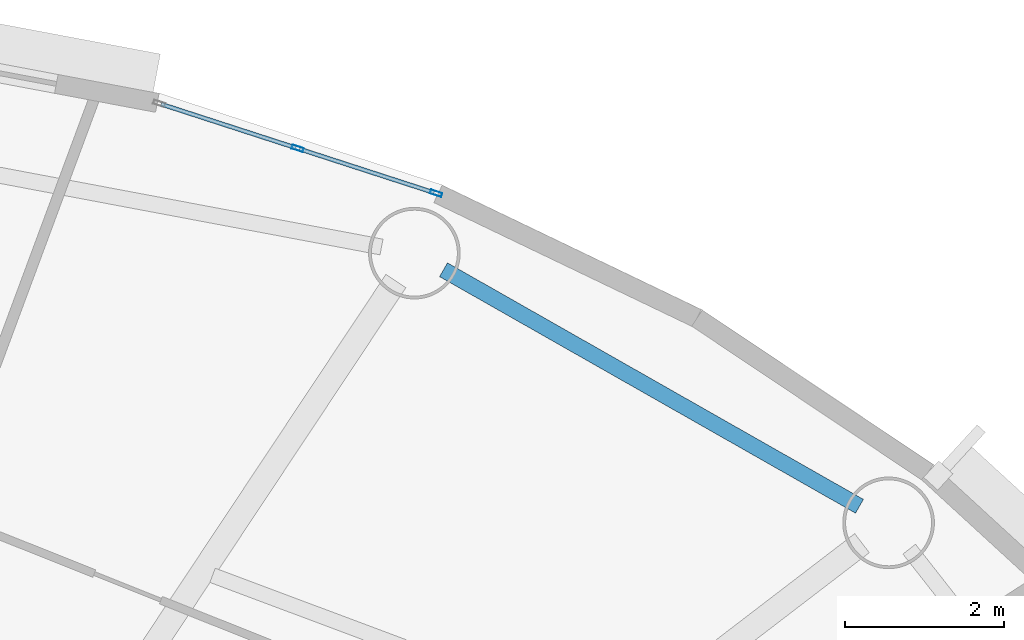
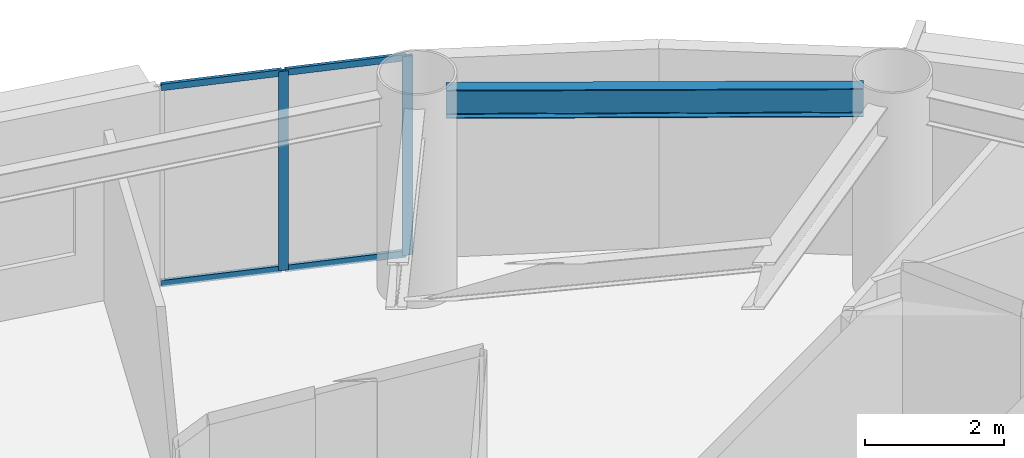
# One storey, part 5 of 19: 6 members, 1 beam, 1 element without a shape of its own.
"""IFC4 building model written with IfcOpenShell, lengths in metres."""

import ifcopenshell
import ifcopenshell.guid

model = None  # the IFC model being written
_history = None  # IfcOwnerHistory: only IFC2X3 demands one
_inside = {}  # id of a spatial element -> (the spatial element, [elements in it])
_under = {}  # id of a project, library or spatial element -> (it, [spatial elements below it])
_declared = {}  # id of a project -> (the project, [libraries it declares])
_typed = {}  # id of a type object -> (the type object, [elements of that type])
_made_of = {}  # id of a material, layer set ... -> (it, [elements and type objects made of it])


def new_model(schema):
    """Start an empty IFC model of exactly this schema.

    Asked for "IFC4X3", IfcOpenShell would pick the latest addendum, in which some entities
    have other attributes; the version numbers below select the first issue.
    IFC2X3 requires an IfcOwnerHistory on every rooted entity: one is made here for all.
    """
    global model, _history
    if schema == "IFC4X3":
        model = ifcopenshell.file(schema_version=(4, 3, 0, 0))
    else:
        model = ifcopenshell.file(schema=schema)
    _inside.clear()
    _under.clear()
    _declared.clear()
    _typed.clear()
    _made_of.clear()
    _history = None
    if model.schema == "IFC2X3":
        org = make("IfcOrganization", Name="unknown")
        user = make(
            "IfcPersonAndOrganization",
            ThePerson=make("IfcPerson", FamilyName="unknown"),
            TheOrganization=org,
        )
        app = make(
            "IfcApplication",
            ApplicationDeveloper=org,
            Version="unknown",
            ApplicationFullName="unknown",
            ApplicationIdentifier="unknown",
        )
        _history = make(
            "IfcOwnerHistory",
            OwningUser=user,
            OwningApplication=app,
            ChangeAction="ADDED",
            CreationDate=0,
        )
    return model


def make(cls, **values):
    """One entity of the class cls with the attributes given. An attribute that is None is left unset."""
    return model.create_entity(
        cls, **{name: value for name, value in values.items() if value is not None}
    )


def rooted(cls, **values):
    """An entity with a GlobalId (a new one), such as an element, a storey or a relation."""
    return make(cls, GlobalId=ifcopenshell.guid.new(), OwnerHistory=_history, **values)


def si_unit(unit_type, name, prefix=None):
    """IfcSIUnit, for example si_unit("LENGTHUNIT", "METRE", prefix="MILLI")."""
    return make("IfcSIUnit", UnitType=unit_type, Prefix=prefix, Name=name)


def assignment(units):
    """IfcUnitAssignment: the units of a project."""
    return None if units is None else make("IfcUnitAssignment", Units=units)


def point(xyz):
    """IfcCartesianPoint."""
    return None if xyz is None else make("IfcCartesianPoint", Coordinates=xyz)


def direction(xyz):
    """IfcDirection."""
    return None if xyz is None else make("IfcDirection", DirectionRatios=xyz)


def frame(location, z_axis=None, x_axis=None):
    """IfcAxis2Placement3D, a coordinate frame: its origin and axes. An axis left out is left unset."""
    return make(
        "IfcAxis2Placement3D",
        Location=point(location),
        Axis=direction(z_axis),
        RefDirection=direction(x_axis),
    )


def frame_2d(location, x_axis=None):
    """IfcAxis2Placement2D, a coordinate frame in the plane: its origin and x axis."""
    return make(
        "IfcAxis2Placement2D", Location=point(location), RefDirection=direction(x_axis)
    )


def origin():
    """The frame at (0, 0, 0) with its axes left unset."""
    return frame((0.0, 0.0, 0.0))


def origin_2d():
    """The frame at (0, 0) in the plane with its x axis left unset."""
    return frame_2d((0.0, 0.0))


def place(relative_to, where):
    """IfcLocalPlacement: puts the frame where relative to a parent placement (None: the world)."""
    return make(
        "IfcLocalPlacement", PlacementRelTo=relative_to, RelativePlacement=where
    )


def context(
    kind, dimensions, precision=None, world=None, true_north=None, identifier=None
):
    """IfcGeometricRepresentationContext, for example the 3D "Model" context."""
    return make(
        "IfcGeometricRepresentationContext",
        ContextIdentifier=identifier,
        ContextType=kind,
        CoordinateSpaceDimension=dimensions,
        Precision=precision,
        WorldCoordinateSystem=world,
        TrueNorth=true_north,
    )


def subcontext(parent, identifier, kind, view, scale=None):
    """IfcGeometricRepresentationSubContext, for example "Body" below "Model"."""
    return make(
        "IfcGeometricRepresentationSubContext",
        ContextIdentifier=identifier,
        ContextType=kind,
        ParentContext=parent,
        TargetScale=scale,
        TargetView=view,
    )


def project(units=None, contexts=None):
    """IfcProject with its units and contexts."""
    return rooted(
        "IfcProject",
        Name="project",
        RepresentationContexts=contexts,
        UnitsInContext=assignment(units),
    )


def spatial(cls, under=None, at=None, **own):
    """A site, building, storey or space (cls), placed at a placement, below another one or the project."""
    s = rooted(cls, ObjectPlacement=at, **own)
    if under is not None:
        _under.setdefault(under.id(), (under, []))[1].append(s)
    return s


def profile(cls, at=None, kind="AREA", **sizes):
    """A parametric profile (cls). Its sizes go by their IFC names, for example OverallWidth=200.0."""
    return make(cls, ProfileType=kind, Position=at, **sizes)


def hollow_rectangle(**sizes):
    """IfcRectangleHollowProfileDef."""
    return profile("IfcRectangleHollowProfileDef", **sizes)


def i_section(**sizes):
    """IfcIShapeProfileDef."""
    return profile("IfcIShapeProfileDef", **sizes)


def extrude(swept, where, along, depth):
    """IfcExtrudedAreaSolid: the profile swept, set in the frame where, extruded along a direction by depth."""
    return make(
        "IfcExtrudedAreaSolid",
        SweptArea=swept,
        Position=where,
        ExtrudedDirection=direction(along),
        Depth=depth,
    )


def shape(context_of_items, identifier, shape_type, items):
    """IfcShapeRepresentation: the items that make up one representation, for example the "Body"."""
    return make(
        "IfcShapeRepresentation",
        ContextOfItems=context_of_items,
        RepresentationIdentifier=identifier,
        RepresentationType=shape_type,
        Items=items,
    )


def source(mapping_origin, context_of_items, identifier, shape_type, items):
    """IfcRepresentationMap: a shape defined once, which mapped items show again and again."""
    return make(
        "IfcRepresentationMap",
        MappingOrigin=mapping_origin,
        MappedRepresentation=shape(context_of_items, identifier, shape_type, items),
    )


def transform(
    local_origin,
    x_axis=None,
    y_axis=None,
    z_axis=None,
    scale=None,
    scale2=None,
    scale3=None,
    uniform=True,
):
    """IfcCartesianTransformationOperator3D, or its non-uniform kind. x_axis, y_axis, z_axis: its Axis1, 2, 3."""
    if uniform:
        return make(
            "IfcCartesianTransformationOperator3D",
            Axis1=direction(x_axis),
            Axis2=direction(y_axis),
            LocalOrigin=point(local_origin),
            Scale=scale,
            Axis3=direction(z_axis),
        )
    return make(
        "IfcCartesianTransformationOperator3DnonUniform",
        Axis1=direction(x_axis),
        Axis2=direction(y_axis),
        LocalOrigin=point(local_origin),
        Scale=scale,
        Axis3=direction(z_axis),
        Scale2=scale2,
        Scale3=scale3,
    )


def mapped(mapping_source, mapping_target):
    """IfcMappedItem: shows the shape of a source again, moved by a transform."""
    return make(
        "IfcMappedItem", MappingSource=mapping_source, MappingTarget=mapping_target
    )


def material(Name=None, Category=None):
    """IfcMaterial."""
    return make("IfcMaterial", Name=Name, Category=Category)


def layer(
    of_material, thickness, ventilated=None, Name=None, Category=None, Priority=None
):
    """IfcMaterialLayer: one layer of a wall or slab, of a material (None: an air gap)."""
    return make(
        "IfcMaterialLayer",
        Material=of_material,
        LayerThickness=thickness,
        IsVentilated=ventilated,
        Name=Name,
        Category=Category,
        Priority=Priority,
    )


def layer_set(layers, Name=None):
    """IfcMaterialLayerSet."""
    return make("IfcMaterialLayerSet", MaterialLayers=layers, LayerSetName=Name)


def material_profile(
    of_material, cross_section, Name=None, Category=None, Priority=None
):
    """IfcMaterialProfile: a cross section and its material."""
    return make(
        "IfcMaterialProfile",
        Name=Name,
        Material=of_material,
        Profile=cross_section,
        Priority=Priority,
        Category=Category,
    )


def profile_set(profiles, Name=None, composite=None):
    """IfcMaterialProfileSet."""
    return make(
        "IfcMaterialProfileSet",
        Name=Name,
        MaterialProfiles=profiles,
        CompositeProfile=composite,
    )


def made_of(thing, what):
    """Note that an element or type object is made of a material, layer set ...; save() writes the relation."""
    if what is not None:
        _made_of.setdefault(what.id(), (what, []))[1].append(thing)
    return thing


def type_object(cls, material=None, **own):
    """A type object (cls), such as IfcWallType, which elements share."""
    return made_of(rooted(cls, **own), material)


def element(
    cls,
    number,
    at=None,
    inside=None,
    cuts=None,
    type_object=None,
    material=None,
    context=None,
    identifier="Body",
    shape_type=None,
    held_by="IfcProductDefinitionShape",
    body=None,
    shapes=None,
    **own,
):
    """One element of the class cls, such as IfcWall. Its Tag is "e" and its number.

    at: its placement. inside: the storey or other place that contains it. cuts: it is an
    opening in that element (IfcRelVoidsElement). A single representation is given by context,
    identifier, shape_type and body (its items); several are given by shapes. held_by: the class
    of the entity that holds the representations. save() writes the other relations.
    """
    e = rooted(cls, Tag="e%d" % number, ObjectPlacement=at, **own)
    if body is not None:
        shapes = [shape(context, identifier, shape_type, body)]
    if shapes is not None:
        e.Representation = make(held_by, Representations=shapes)
    if inside is not None:
        _inside.setdefault(inside.id(), (inside, []))[1].append(e)
    if cuts is not None:
        rooted(
            "IfcRelVoidsElement", RelatingBuildingElement=cuts, RelatedOpeningElement=e
        )
    if type_object is not None:
        _typed.setdefault(type_object.id(), (type_object, []))[1].append(e)
    return made_of(e, material)


def aggregate(whole, parts):
    """IfcRelAggregates: a whole, such as a stair, and the parts it consists of."""
    return rooted("IfcRelAggregates", RelatingObject=whole, RelatedObjects=parts)


def save(model, path):
    """Write the relations noted so far, then the file.

    IfcRelAggregates (storeys below a building ...), IfcRelContainedInSpatialStructure (elements
    in a storey), IfcRelDefinesByType, IfcRelAssociatesMaterial and IfcRelDeclares: one each for
    every whole, place, type object, material and project.
    """
    for whole, parts in _under.values():
        aggregate(whole, parts)
    for where, things in _inside.values():
        rooted(
            "IfcRelContainedInSpatialStructure",
            RelatedElements=things,
            RelatingStructure=where,
        )
    for kind, things in _typed.values():
        rooted("IfcRelDefinesByType", RelatedObjects=things, RelatingType=kind)
    for what, things in _made_of.values():
        rooted("IfcRelAssociatesMaterial", RelatedObjects=things, RelatingMaterial=what)
    for by, libraries in _declared.values():
        rooted("IfcRelDeclares", RelatingContext=by, RelatedDefinitions=libraries)
    model.write(path)


model = new_model("IFC4")

# Units and contexts
model_context = context("Model", 3, precision=1e-05, world=origin(), true_north=direction((0.0, 1.0)))
body_context = subcontext(model_context, "Body", "Model", "MODEL_VIEW")
ifc_project = project(units=[si_unit("LENGTHUNIT", "METRE"), si_unit("AREAUNIT", "SQUARE_METRE"), si_unit("VOLUMEUNIT", "CUBIC_METRE"), si_unit("PLANEANGLEUNIT", "RADIAN"), si_unit("MASSUNIT", "GRAM", prefix="KILO")], contexts=[model_context])

# Site, building, storey
site_placement = place(None, origin())
site = spatial("IfcSite", under=ifc_project, at=site_placement, CompositionType="ELEMENT")
building_placement = place(site_placement, origin())
building = spatial("IfcBuilding", under=site, at=building_placement, Name="Linh Dai School and Residence Tower", CompositionType="ELEMENT")
storey_placement = place(building_placement, frame((0.0, 0.0, 217.800048828125)))
storey = spatial("IfcBuildingStorey", under=building, at=storey_placement, Name="L53", CompositionType="ELEMENT", Elevation=217.800048828125)

# Beam
ifc_material_1 = material(Name="Structural Steel S355JR", Category="steel")
ifc_material_profile_1 = material_profile(ifc_material_1, i_section(OverallWidth=0.199951171875, OverallDepth=0.5, WebThickness=0.01025390625, FlangeThickness=0.01611328125, FilletRadius=0.02099609375, at=origin_2d()), Name="IPE 500")
ifc_profile_set_1 = profile_set([ifc_material_profile_1], Name="Structural Steel S355JR")
beam_type = type_object("IfcBeamType", Name="BM-RB50", PredefinedType="BEAM", material=ifc_profile_set_1)
beam_placement = place(storey_placement, frame((52.318115234375, 39.988525390625, 3.25), z_axis=(-0.869297314463, 0.494289570058, 0.0), x_axis=(-0.494289570058, -0.869297314463, 0.0)))
element("IfcBeam", 1, at=beam_placement, inside=storey, type_object=beam_type, Name="L53 Perimeter Elliptical Ring Beam 03", PredefinedType="BEAM", context=body_context, shape_type="SweptSolid", body=[
    extrude(i_section(OverallWidth=0.199951171875, OverallDepth=0.5, WebThickness=0.01025390625, FlangeThickness=0.01611328125, FilletRadius=0.02099609375, at=origin_2d()), origin(), (0.0, 0.0, 1.0), 6.003173828125),
])

# Curtain wall, members
ifc_material_2 = material(Name="Aluminium Anodised Curtain Wall", Category="aluminium")
ifc_layer = layer(ifc_material_2, 0.14990234375)
ifc_layer_set = layer_set([ifc_layer], Name="Aluminium Anodised Curtain Wall")
curtain_wall_type = type_object("IfcCurtainWallType", Name="CW-SYS-4", PredefinedType="USERDEFINED", material=ifc_layer_set)
curtain_wall_placement = place(storey_placement, origin())
curtain_wall = element("IfcCurtainWall", 2, at=curtain_wall_placement, inside=storey, type_object=curtain_wall_type, Name="L53 CW4 Curtain Wall 08", ObjectType="RIBBON CURTAIN WALL", PredefinedType="USERDEFINED")
ifc_material_3 = material(Name="Aluminium Alloy 6063-T6", Category="aluminium")
ifc_material_profile_2 = material_profile(ifc_material_3, hollow_rectangle(XDim=0.052001953125, YDim=0.14990234375, WallThickness=0.00390625, at=origin_2d()), Name="RHS 150x52x4")
ifc_profile_set_2 = profile_set([ifc_material_profile_2], Name="Aluminium Alloy 6063-T6")
member_type_1 = type_object("IfcMemberType", Name="CW-SYS-4-MUL", PredefinedType="MULLION", material=ifc_profile_set_2)
shared_shape_1 = source(origin(), body_context, "Body", "SweptSolid", [
    extrude(hollow_rectangle(XDim=0.052001953125, YDim=0.14990234375, WallThickness=0.00390625, at=origin_2d()), origin(), (0.0, 0.0, 1.0), 3.5),
])
member_1_placement = place(storey_placement, frame((45.27001953125, 44.477783203125, 0.0), z_axis=(0.0, 0.0, 1.0), x_axis=(0.308501065272, 0.951223997135, 0.0)))
member_1 = element("IfcMember", 3, at=member_1_placement, type_object=member_type_1, Name="CW4 mullion 2", PredefinedType="MULLION", context=body_context, shape_type="MappedRepresentation", body=[
    mapped(shared_shape_1, transform((0.0, 0.0, 0.0), x_axis=(1.0, 0.0, 0.0), y_axis=(0.0, 1.0, 0.0), z_axis=(0.0, 0.0, 1.0), scale=1.0)),
])
member_2_placement = place(storey_placement, frame((47.00634765625, 43.91455078125, 0.0), z_axis=(0.0, 0.0, 1.0), x_axis=(0.308501065272, 0.951223997135, 0.0)))
member_2 = element("IfcMember", 4, at=member_2_placement, type_object=member_type_1, Name="CW4 mullion 3", PredefinedType="MULLION", context=body_context, shape_type="MappedRepresentation", body=[
    mapped(shared_shape_1, transform((0.0, 0.0, 0.0), x_axis=(1.0, 0.0, 0.0), y_axis=(0.0, 1.0, 0.0), z_axis=(0.0, 0.0, 1.0), scale=1.0)),
])
ifc_material_profile_3 = material_profile(ifc_material_3, hollow_rectangle(XDim=0.052001953125, YDim=0.114990234375, WallThickness=0.00390625, at=origin_2d()), Name="RHS 115x52x4")
ifc_profile_set_3 = profile_set([ifc_material_profile_3], Name="Aluminium Alloy 6063-T6")
member_type_2 = type_object("IfcMemberType", Name="CW-SYS-4-TRN", PredefinedType="USERDEFINED", material=ifc_profile_set_3)
shared_shape_2 = source(origin(), body_context, "Body", "SweptSolid", [
    extrude(hollow_rectangle(XDim=0.052001953125, YDim=0.114990234375, WallThickness=0.00390625, at=origin_2d()), origin(), (0.0, 0.0, 1.0), 1.773193359375),
])
member_3_placement = place(storey_placement, frame((43.55859375, 45.03271484375, 0.02587890625), z_axis=(0.951212990868, -0.308534999643, 0.0), x_axis=(0.308534999643, 0.951212990868, 0.0)))
member_3 = element("IfcMember", 5, at=member_3_placement, type_object=member_type_2, Name="CW4 transom 1.1", ObjectType="TRANSOM", PredefinedType="USERDEFINED", context=body_context, shape_type="MappedRepresentation", body=[
    mapped(shared_shape_2, transform((0.0, 0.0, 0.0), x_axis=(1.0, 0.0, 0.0), y_axis=(0.0, 1.0, 0.0), z_axis=(0.0, 0.0, 1.0), scale=1.0)),
])
member_4_placement = place(storey_placement, frame((43.55859375, 45.03271484375, 3.473876953125), z_axis=(0.951212990868, -0.308534999643, 0.0), x_axis=(0.308534999643, 0.951212990868, 0.0)))
member_4 = element("IfcMember", 6, at=member_4_placement, type_object=member_type_2, Name="CW4 transom 1.2", ObjectType="TRANSOM", PredefinedType="USERDEFINED", context=body_context, shape_type="MappedRepresentation", body=[
    mapped(shared_shape_2, transform((0.0, 0.0, 0.0), x_axis=(1.0, 0.0, 0.0), y_axis=(0.0, 1.0, 0.0), z_axis=(0.0, 0.0, 1.0), scale=1.0)),
])
member_5_placement = place(storey_placement, frame((45.294921875, 44.4697265625, 0.02587890625), z_axis=(0.951212990868, -0.308534999643, 0.0), x_axis=(0.308534999643, 0.951212990868, 0.0)))
member_5 = element("IfcMember", 7, at=member_5_placement, type_object=member_type_2, Name="CW4 transom 2.1", ObjectType="TRANSOM", PredefinedType="USERDEFINED", context=body_context, shape_type="MappedRepresentation", body=[
    mapped(shared_shape_2, transform((0.0, 0.0, 0.0), x_axis=(1.0, 0.0, 0.0), y_axis=(0.0, 1.0, 0.0), z_axis=(0.0, 0.0, 1.0), scale=1.0)),
])
member_6_placement = place(storey_placement, frame((45.294921875, 44.4697265625, 3.473876953125), z_axis=(0.951212990868, -0.308534999643, 0.0), x_axis=(0.308534999643, 0.951212990868, 0.0)))
member_6 = element("IfcMember", 8, at=member_6_placement, type_object=member_type_2, Name="CW4 transom 2.2", ObjectType="TRANSOM", PredefinedType="USERDEFINED", context=body_context, shape_type="MappedRepresentation", body=[
    mapped(shared_shape_2, transform((0.0, 0.0, 0.0), x_axis=(1.0, 0.0, 0.0), y_axis=(0.0, 1.0, 0.0), z_axis=(0.0, 0.0, 1.0), scale=1.0)),
])
aggregate(curtain_wall, [member_1, member_2, member_3, member_4, member_5, member_6])

save(model, "model.ifc")
